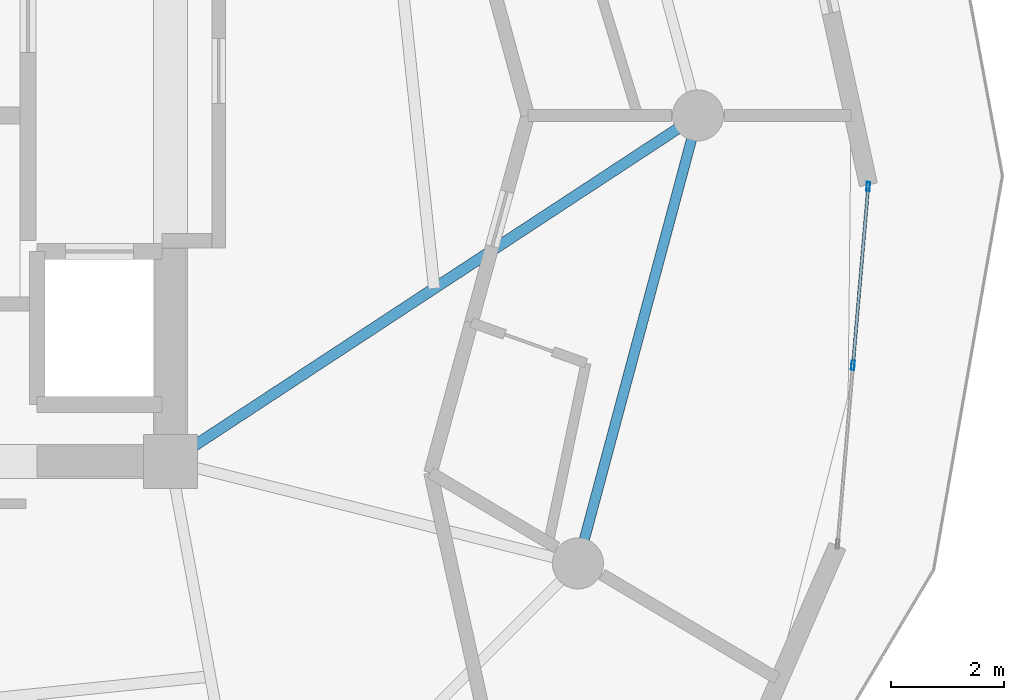
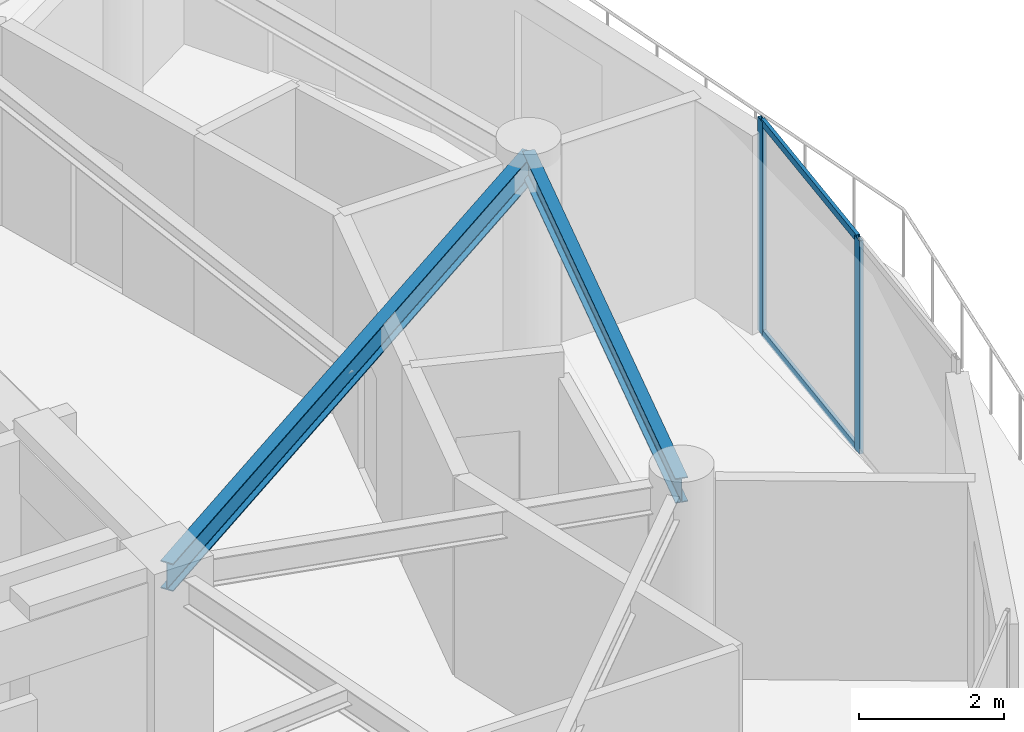
# One storey, part 12 of 23: 4 members, 2 beams, 1 element without a shape of its own.
"""IFC4 building model written with IfcOpenShell, lengths in metres."""

from ifc_helpers import new_model, si_unit, direction, frame, origin, origin_2d, place, context, subcontext, project, spatial, hollow_rectangle, i_section, extrude, source, transform, mapped, material, layer, layer_set, material_profile, profile_set, type_object, element, aggregate, save


model = new_model("IFC4")

# Units and contexts
model_context = context("Model", 3, precision=1e-05, world=origin(), true_north=direction((0.0, 1.0)))
body_context = subcontext(model_context, "Body", "Model", "MODEL_VIEW")
ifc_project = project(units=[si_unit("LENGTHUNIT", "METRE"), si_unit("AREAUNIT", "SQUARE_METRE"), si_unit("VOLUMEUNIT", "CUBIC_METRE"), si_unit("PLANEANGLEUNIT", "RADIAN"), si_unit("MASSUNIT", "GRAM", prefix="KILO")], contexts=[model_context])

# Site, building, storey
site_placement = place(None, origin())
site = spatial("IfcSite", under=ifc_project, at=site_placement, CompositionType="ELEMENT")
building_placement = place(site_placement, origin())
building = spatial("IfcBuilding", under=site, at=building_placement, Name="Solvirekh Grand Hotel", CompositionType="ELEMENT")
storey_placement = place(building_placement, frame((0.0, 0.0, 176.800048828125)))
storey = spatial("IfcBuildingStorey", under=building, at=storey_placement, Name="L45", CompositionType="ELEMENT", Elevation=176.800048828125)

# Beams
ifc_material_1 = material(Name="Steel S355", Category="steel")
ifc_material_profile_1 = material_profile(ifc_material_1, i_section(OverallWidth=0.194091796875, OverallDepth=0.468994140625, WebThickness=0.010986328125, FlangeThickness=0.01904296875, FilletRadius=0.012939453125, at=origin_2d()), Name="W460X106")
ifc_profile_set_1 = profile_set([ifc_material_profile_1], Name="Steel S355")
beam_type_1 = type_object("IfcBeamType", Name="Beam_Radial_W460H", PredefinedType="BEAM", material=ifc_profile_set_1)
beam_1_placement = place(storey_placement, frame((6.5, -6.10009765625, 3.125), z_axis=(0.836174064962, 0.548464158432, 0.0), x_axis=(-0.548464158432, 0.836174064962, 0.0)))
element("IfcBeam", 1, at=beam_1_placement, inside=storey, type_object=beam_type_1, Name="L45 radial floor beam R01", PredefinedType="BEAM", context=body_context, shape_type="SweptSolid", body=[
    extrude(i_section(OverallWidth=0.194091796875, OverallDepth=0.468994140625, WebThickness=0.010986328125, FlangeThickness=0.01904296875, FilletRadius=0.012939453125, at=origin_2d()), origin(), (0.0, 0.0, 1.0), 11.1220703125),
])
ifc_material_profile_2 = material_profile(ifc_material_1, i_section(OverallWidth=0.180908203125, OverallDepth=0.4169921875, WebThickness=0.010009765625, FlangeThickness=0.01611328125, FilletRadius=0.011962890625, at=origin_2d()), Name="W410X85")
ifc_profile_set_2 = profile_set([ifc_material_profile_2], Name="Steel S355")
beam_type_2 = type_object("IfcBeamType", Name="Spandrel_Ring_W410", PredefinedType="SPANDREL", material=ifc_profile_set_2)
beam_2_placement = place(storey_placement, frame((13.68310546875, -7.89990234375, 3.15185546875), z_axis=(0.258838541915, 0.965920601923, 0.0), x_axis=(-0.965920601923, 0.258838541915, 0.0)))
element("IfcBeam", 2, at=beam_2_placement, inside=storey, type_object=beam_type_2, Name="L45 perimeter spandrel beam 12", PredefinedType="SPANDREL", context=body_context, shape_type="SweptSolid", body=[
    extrude(i_section(OverallWidth=0.180908203125, OverallDepth=0.4169921875, WebThickness=0.010009765625, FlangeThickness=0.01611328125, FilletRadius=0.011962890625, at=origin_2d()), origin(), (0.0, 0.0, 1.0), 8.1787109375),
])

# Curtain wall, members
ifc_material_2 = material(Name="Anodized Bronze Aluminium 6063-T6", Category="aluminium")
ifc_layer = layer(ifc_material_2, 0.159912109375)
ifc_layer_set = layer_set([ifc_layer], Name="Anodized Bronze Aluminium 6063-T6")
curtain_wall_type = type_object("IfcCurtainWallType", Name="CW_Sys4_HighZoneFlushBronzeCW", PredefinedType="NOTDEFINED", material=ifc_layer_set)
curtain_wall_placement = place(storey_placement, origin())
curtain_wall = element("IfcCurtainWall", 3, at=curtain_wall_placement, inside=storey, type_object=curtain_wall_type, Name="L45 unitised bronze-glass curtain wall CW-L45-C03", PredefinedType="NOTDEFINED")
ifc_material_profile_3 = material_profile(ifc_material_2, hollow_rectangle(XDim=0.054931640625, YDim=0.1201171875, WallThickness=0.00390625, at=origin_2d()), Name="ALU RHS 120X55X4")
ifc_profile_set_3 = profile_set([ifc_material_profile_3], Name="Anodized Bronze Aluminium 6063-T6")
member_type_1 = type_object("IfcMemberType", Name="CWTransom_Sys4", PredefinedType="USERDEFINED", material=ifc_profile_set_3)
shared_shape_1 = source(origin(), body_context, "Body", "SweptSolid", [
    extrude(hollow_rectangle(XDim=0.054931640625, YDim=0.1201171875, WallThickness=0.00390625, at=origin_2d()), origin(), (0.0, 0.0, 1.0), 3.104736328125),
])
member_1_placement = place(storey_placement, frame((18.53515625, -4.377197265625, 0.02734375), z_axis=(0.085238330087, 0.996360590893, 0.0), x_axis=(-0.996360590893, 0.085238330087, 0.0)))
member_1 = element("IfcMember", 4, at=member_1_placement, type_object=member_type_1, Name="U04 transom 2.1", ObjectType="TRANSOM", PredefinedType="USERDEFINED", context=body_context, shape_type="MappedRepresentation", body=[
    mapped(shared_shape_1, transform((0.0, 0.0, 0.0), x_axis=(1.0, 0.0, 0.0), y_axis=(0.0, 1.0, 0.0), z_axis=(0.0, 0.0, 1.0), scale=1.0)),
])
member_2_placement = place(storey_placement, frame((18.53515625, -4.377197265625, 3.572509765625), z_axis=(0.085238330087, 0.996360590893, 0.0), x_axis=(-0.996360590893, 0.085238330087, 0.0)))
member_2 = element("IfcMember", 5, at=member_2_placement, type_object=member_type_1, Name="U04 transom 2.2", ObjectType="TRANSOM", PredefinedType="USERDEFINED", context=body_context, shape_type="MappedRepresentation", body=[
    mapped(shared_shape_1, transform((0.0, 0.0, 0.0), x_axis=(1.0, 0.0, 0.0), y_axis=(0.0, 1.0, 0.0), z_axis=(0.0, 0.0, 1.0), scale=1.0)),
])
ifc_material_profile_4 = material_profile(ifc_material_2, hollow_rectangle(XDim=0.06005859375, YDim=0.159912109375, WallThickness=0.0048828125, at=origin_2d()), Name="ALU RHS 160X60X5")
ifc_profile_set_4 = profile_set([ifc_material_profile_4], Name="Anodized Bronze Aluminium 6063-T6")
member_type_2 = type_object("IfcMemberType", Name="CWMullion_Sys4", PredefinedType="MULLION", material=ifc_profile_set_4)
shared_shape_2 = source(origin(), body_context, "Body", "SweptSolid", [
    extrude(hollow_rectangle(XDim=0.06005859375, YDim=0.159912109375, WallThickness=0.0048828125, at=origin_2d()), origin(), (0.0, 0.0, 1.0), 3.599853515625),
])
member_3_placement = place(storey_placement, frame((18.532470703125, -4.406982421875, 0.0), z_axis=(0.0, 0.0, 1.0), x_axis=(-0.996355395292, 0.085299040279, 0.0)))
member_3 = element("IfcMember", 6, at=member_3_placement, type_object=member_type_2, Name="U04 mullion 2", PredefinedType="MULLION", context=body_context, shape_type="MappedRepresentation", body=[
    mapped(shared_shape_2, transform((0.0, 0.0, 0.0), x_axis=(1.0, 0.0, 0.0), y_axis=(0.0, 1.0, 0.0), z_axis=(0.0, 0.0, 1.0), scale=1.0)),
])
member_4_placement = place(storey_placement, frame((18.802490234375, -1.25390625, 0.0), z_axis=(0.0, 0.0, 1.0), x_axis=(-0.996355395292, 0.085299040279, 0.0)))
member_4 = element("IfcMember", 7, at=member_4_placement, type_object=member_type_2, Name="U04 mullion 3", PredefinedType="MULLION", context=body_context, shape_type="MappedRepresentation", body=[
    mapped(shared_shape_2, transform((0.0, 0.0, 0.0), x_axis=(1.0, 0.0, 0.0), y_axis=(0.0, 1.0, 0.0), z_axis=(0.0, 0.0, 1.0), scale=1.0)),
])
aggregate(curtain_wall, [member_3, member_4, member_1, member_2])

save(model, "model.ifc")
